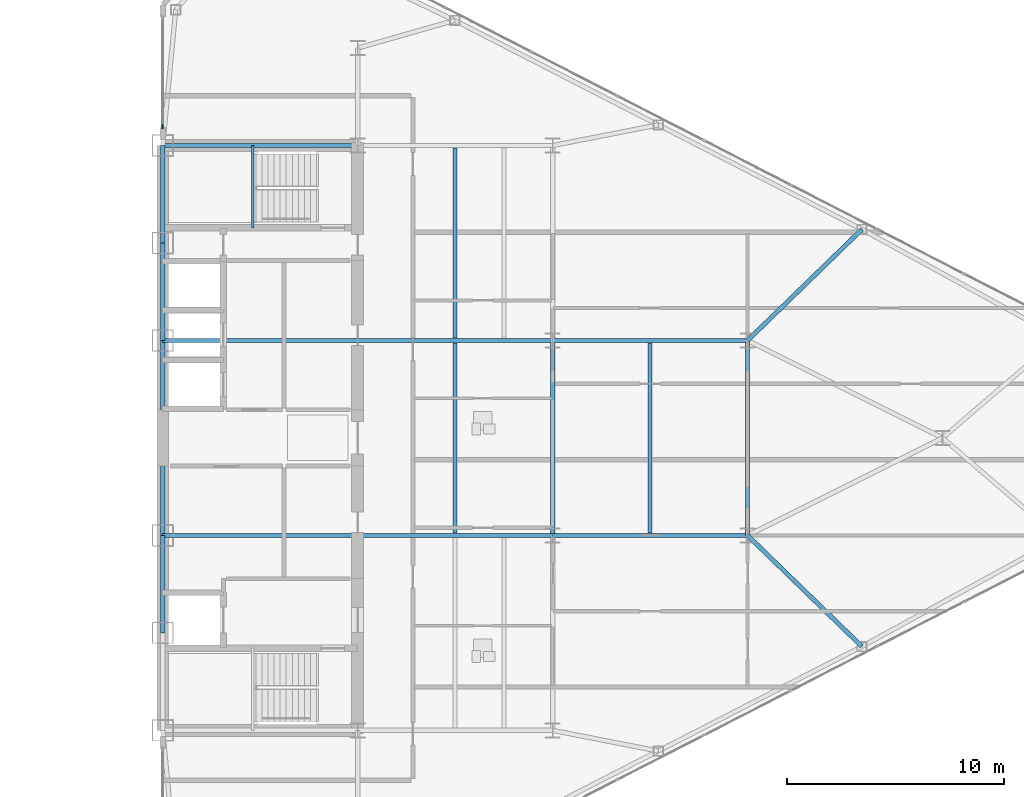
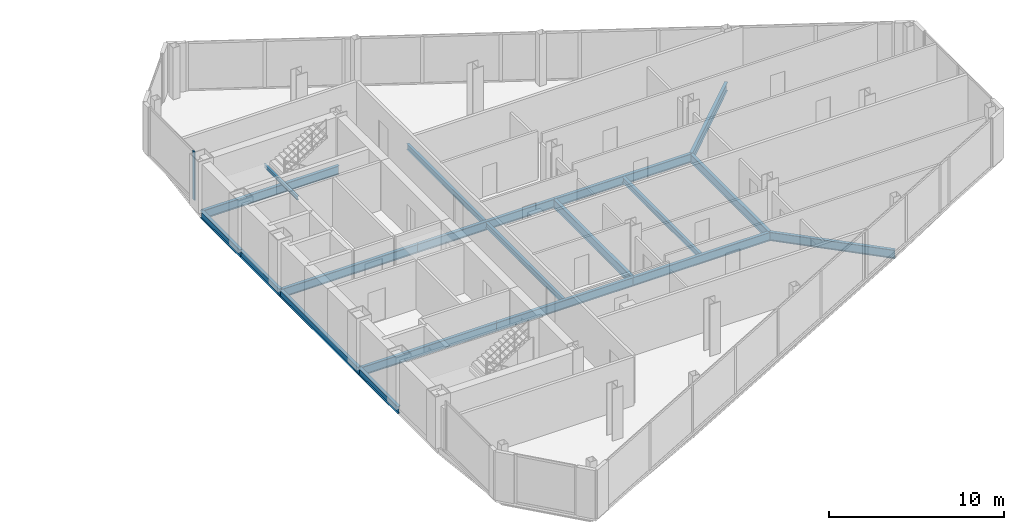
# One storey, part 10 of 23: 19 beams, 1 member, 1 element without a shape of its own.
"""IFC4 building model written with IfcOpenShell, lengths in metres."""

from ifc_helpers import new_model, si_unit, direction, frame, origin, origin_2d, place, context, subcontext, project, spatial, rectangle, i_section, extrude, source, transform, mapped, material, layer, layer_set, material_profile, profile_set, type_object, type_shapes, element, aggregate, save


model = new_model("IFC4")

# Units and contexts
model_context = context("Model", 3, precision=1e-05, world=origin(), true_north=direction((0.0, 1.0)))
body_context = subcontext(model_context, "Body", "Model", "MODEL_VIEW")
ifc_project = project(units=[si_unit("LENGTHUNIT", "METRE"), si_unit("AREAUNIT", "SQUARE_METRE"), si_unit("VOLUMEUNIT", "CUBIC_METRE"), si_unit("PLANEANGLEUNIT", "RADIAN"), si_unit("MASSUNIT", "GRAM", prefix="KILO")], contexts=[model_context])

# Site, building, storey
site_placement = place(None, origin())
site = spatial("IfcSite", under=ifc_project, at=site_placement, CompositionType="ELEMENT")
building_placement = place(site_placement, origin())
building = spatial("IfcBuilding", under=site, at=building_placement, Name="Seokmaru Belvedere", CompositionType="ELEMENT")
storey_placement = place(building_placement, frame((0.0, 0.0, 144.0)))
storey = spatial("IfcBuildingStorey", under=building, at=storey_placement, Name="L38", CompositionType="ELEMENT", Elevation=144.0)

# Beams
ifc_material_1 = material(Name="Steel SM355 (355 MPa)", Category="steel")
ifc_material_profile_1 = material_profile(ifc_material_1, i_section(OverallWidth=0.199951171875, OverallDepth=0.5, WebThickness=0.010009765625, FlangeThickness=0.01611328125, at=origin_2d()), Name="H-500x200x10x16")
ifc_profile_set_1 = profile_set([ifc_material_profile_1], Name="Steel SM355 (355 MPa)")
beam_type_1 = type_object("IfcBeamType", Name="Perimeter Spandrel Beam H-500", PredefinedType="SPANDREL", material=ifc_profile_set_1)
shared_shape_1 = source(origin(), body_context, "Body", "SweptSolid", [
    extrude(i_section(OverallWidth=0.199951171875, OverallDepth=0.5, WebThickness=0.010009765625, FlangeThickness=0.01611328125, at=origin_2d()), origin(), (0.0, 0.0, 1.0), 4.5),
])
for number, where, z_axis, x_axis, name in (
    (1, (27.5, -9.0, -0.469970703125), (0.0, 1.0, 0.0), (-1.0, 0.0, 0.0), "L38 E Portal Spine Spandrel 2"),
    (2, (27.5, 4.5, -0.469970703125), (0.0, 1.0, 0.0), (-1.0, 0.0, 0.0), "L38 E Portal Spine Spandrel 4"),
    (3, (27.5, 9.0, -0.469970703125), (0.0, 1.0, 0.0), (-1.0, 0.0, 0.0), "L38 E Portal Spine Spandrel 5"),
):
    element("IfcBeam", number, at=place(storey_placement, frame(where, z_axis=z_axis, x_axis=x_axis)), inside=storey, type_object=beam_type_1, Name=name, PredefinedType="SPANDREL", context=body_context, shape_type="MappedRepresentation", body=[
        mapped(shared_shape_1, transform((0.0, 0.0, 0.0), scale=1.0)),
    ])
shared_shape_2 = source(origin(), body_context, "Body", "SweptSolid", [
    extrude(i_section(OverallWidth=0.199951171875, OverallDepth=0.5, WebThickness=0.010009765625, FlangeThickness=0.01611328125, at=origin_2d()), origin(), (0.0, 0.0, 1.0), 9.0),
])
type_shapes(beam_type_1, [shared_shape_1, shared_shape_2])
beam_1_placement = place(storey_placement, frame((27.5, -4.5, -0.469970703125), z_axis=(0.0, 1.0, 0.0), x_axis=(-1.0, 0.0, 0.0)))
element("IfcBeam", 4, at=beam_1_placement, inside=storey, type_object=beam_type_1, Name="L38 E Portal Spine Spandrel 3", PredefinedType="SPANDREL", context=body_context, shape_type="MappedRepresentation", body=[
    mapped(shared_shape_2, transform((0.0, 0.0, 0.0), scale=1.0)),
])
ifc_material_profile_2 = material_profile(ifc_material_1, i_section(OverallWidth=0.199951171875, OverallDepth=0.60009765625, WebThickness=0.010986328125, FlangeThickness=0.01708984375, at=origin_2d()), Name="H-600x200x11x17")
ifc_profile_set_2 = profile_set([ifc_material_profile_2], Name="Steel SM355 (355 MPa)")
beam_type_2 = type_object("IfcBeamType", Name="Primary Floor Girder H-600", PredefinedType="BEAM", material=ifc_profile_set_2)
shared_shape_3 = source(origin(), body_context, "Body", "SweptSolid", [
    extrude(i_section(OverallWidth=0.199951171875, OverallDepth=0.60009765625, WebThickness=0.010986328125, FlangeThickness=0.01708984375, at=origin_2d()), origin(), (0.0, 0.0, 1.0), 9.0),
])
for number, where, z_axis, x_axis, name in (
    (5, (45.5, -4.5, -0.52001953125), (0.0, 1.0, 0.0), (-1.0, 0.0, 0.0), "L38 E Interior Grid Girder 2"),
    (6, (27.5, -4.5, -0.52001953125), (1.0, 0.0, 0.0), (0.0, 1.0, 0.0), "L38 E Core Tie Girder 2"),
    (7, (36.5, -4.5, -0.52001953125), (1.0, 0.0, 0.0), (0.0, 1.0, 0.0), "L38 E Wing Primary Girder 2"),
    (8, (27.5, 4.5, -0.52001953125), (1.0, 0.0, 0.0), (0.0, 1.0, 0.0), "L38 E Core Tie Girder 3"),
    (9, (36.5, 4.5, -0.52001953125), (1.0, 0.0, 0.0), (0.0, 1.0, 0.0), "L38 E Wing Primary Girder 3"),
    (10, (27.5, 13.5, -0.52001953125), (1.0, 0.0, 0.0), (0.0, 1.0, 0.0), "L38 E Core Tie Girder 4"),
    (11, (45.5, -4.5, -0.52001953125), (1.0, 0.0, 0.0), (0.0, 1.0, 0.0), "L38 E Outer Wing Girder 1"),
    (12, (45.5, 4.5, -0.52001953125), (1.0, 0.0, 0.0), (0.0, 1.0, 0.0), "L38 E Outer Wing Girder 2"),
    (13, (54.5, -4.5, -0.52001953125), (0.0, 1.0, 0.0), (-1.0, 0.0, 0.0), "L38 E Apex Frame Girder"),
):
    element("IfcBeam", number, at=place(storey_placement, frame(where, z_axis=z_axis, x_axis=x_axis)), inside=storey, type_object=beam_type_2, Name=name, PredefinedType="BEAM", context=body_context, shape_type="MappedRepresentation", body=[
        mapped(shared_shape_3, transform((0.0, 0.0, 0.0), scale=1.0)),
    ])
ifc_material_profile_3 = material_profile(ifc_material_1, i_section(OverallWidth=0.18505859375, OverallDepth=0.389892578125, WebThickness=0.008056640625, FlangeThickness=0.011962890625, at=origin_2d()), Name="H-390x185x8x12")
ifc_profile_set_3 = profile_set([ifc_material_profile_3], Name="Steel SM355 (355 MPa)")
beam_type_3 = type_object("IfcBeamType", Name="Secondary Floor Joist H-350", PredefinedType="JOIST", material=ifc_profile_set_3)
shared_shape_4 = source(origin(), body_context, "Body", "SweptSolid", [
    extrude(i_section(OverallWidth=0.18505859375, OverallDepth=0.389892578125, WebThickness=0.008056640625, FlangeThickness=0.011962890625, at=origin_2d()), origin(), (0.0, 0.0, 1.0), 8.7900390625),
])
type_shapes(beam_type_3, [shared_shape_4])
for number, where, z_axis, x_axis, name in (
    (14, (41.0, -4.39501953125, -0.4150390625), (0.0, 1.0, 0.0), (-1.0, 0.0, 0.0), "L38 E Secondary Floor Joist 2"),
    (15, (41.0, 4.60498046875, -0.4150390625), (0.0, 1.0, 0.0), (-1.0, 0.0, 0.0), "L38 E Secondary Floor Joist 3"),
    (16, (50.0, -4.39501953125, -0.4150390625), (0.0, 1.0, 0.0), (-1.0, 0.0, 0.0), "L38 E Outer Bay Secondary Joist"),
):
    element("IfcBeam", number, at=place(storey_placement, frame(where, z_axis=z_axis, x_axis=x_axis)), inside=storey, type_object=beam_type_3, Name=name, PredefinedType="JOIST", context=body_context, shape_type="MappedRepresentation", body=[
        mapped(shared_shape_4, transform((0.0, 0.0, 0.0), scale=1.0)),
    ])
shared_shape_5 = source(origin(), body_context, "Body", "SweptSolid", [
    extrude(i_section(OverallWidth=0.199951171875, OverallDepth=0.60009765625, WebThickness=0.010986328125, FlangeThickness=0.01708984375, at=origin_2d()), origin(), (0.0, 0.0, 1.0), 7.35986328125),
])
type_shapes(beam_type_2, [shared_shape_3, shared_shape_5])
for number, where, z_axis, x_axis, name in (
    (17, (59.778564453125, -9.62890625, -0.52001953125), (-0.717200745515, 0.696866623273, 0.0), (-0.696866623273, -0.717200745515, 0.0), "L38 E Flank Radial Floor Girder S-3"),
    (18, (59.778564453125, 9.62890625, -0.52001953125), (-0.717200745515, -0.696866623273, 0.0), (0.696866623273, -0.717200745515, 0.0), "L38 E Flank Radial Floor Girder N-3"),
):
    element("IfcBeam", number, at=place(storey_placement, frame(where, z_axis=z_axis, x_axis=x_axis)), inside=storey, type_object=beam_type_2, Name=name, PredefinedType="BEAM", context=body_context, shape_type="MappedRepresentation", body=[
        mapped(shared_shape_5, transform((0.0, 0.0, 0.0), scale=1.0)),
    ])

# Curtain wall, member
ifc_material_2 = material(Name="Bronze Triple Insulating Glass", Category="glass")
ifc_layer = layer(ifc_material_2, 0.195068359375)
ifc_layer_set = layer_set([ifc_layer], Name="Bronze Triple Insulating Glass")
curtain_wall_type = type_object("IfcCurtainWallType", Name="Sky-Lobby and Mid-Rise Curtain Wall System CW-4", PredefinedType="NOTDEFINED", material=ifc_layer_set)
curtain_wall_placement = place(storey_placement, origin())
curtain_wall = element("IfcCurtainWall", 19, at=curtain_wall_placement, inside=storey, type_object=curtain_wall_type, Name="L38 Curtain Wall ESP_2", PredefinedType="NOTDEFINED")
ifc_material_3 = material(Name="Anodised Bronze Aluminium", Category="aluminium")
ifc_material_profile_4 = material_profile(ifc_material_3, rectangle(XDim=0.070068359375, YDim=0.195068359375, at=origin_2d()), Name="CW-M-70x195")
ifc_profile_set_4 = profile_set([ifc_material_profile_4], Name="Anodised Bronze Aluminium")
member_type = type_object("IfcMemberType", Name="Bronze Unitised Mullion 70x195", PredefinedType="MULLION", material=ifc_profile_set_4)
shared_shape_6 = source(origin(), body_context, "Body", "SweptSolid", [
    extrude(rectangle(XDim=0.070068359375, YDim=0.195068359375, at=origin_2d()), origin(), (0.0, 0.0, 1.0), 3.3798828125),
])
type_shapes(member_type, [shared_shape_6])
member_placement = place(storey_placement, frame((27.5, 14.364990234375, 0.0), z_axis=(0.0, 0.0, 1.0), x_axis=(1.0, 0.0, 0.0)))
member = element("IfcMember", 20, at=member_placement, type_object=member_type, Name="CW:L38:ESP_2 Mullion 2", PredefinedType="MULLION", context=body_context, shape_type="MappedRepresentation", body=[
    mapped(shared_shape_6, transform((0.0, 0.0, 0.0), scale=1.0)),
])
aggregate(curtain_wall, [member])

# Beam
ifc_material_profile_5 = material_profile(ifc_material_1, i_section(OverallWidth=0.125, OverallDepth=0.25, WebThickness=0.006103515625, FlangeThickness=0.009033203125, at=origin_2d()), Name="H-250x125x6x9")
ifc_profile_set_5 = profile_set([ifc_material_profile_5], Name="Steel SM355 (355 MPa)")
beam_type_4 = type_object("IfcBeamType", Name="Stair Mid-Landing Support Beam H-250", PredefinedType="JOIST", material=ifc_profile_set_5)
shared_shape_7 = source(origin(), body_context, "Body", "SweptSolid", [
    extrude(i_section(OverallWidth=0.125, OverallDepth=0.25, WebThickness=0.006103515625, FlangeThickness=0.009033203125, at=origin_2d()), origin(), (0.0, 0.0, 1.0), 3.800048828125),
])
type_shapes(beam_type_4, [shared_shape_7])
beam_2_placement = place(storey_placement, frame((31.64990234375, 9.699951171875, 1.47509765625), z_axis=(0.0, 1.0, 0.0), x_axis=(-1.0, 0.0, 0.0)))
element("IfcBeam", 21, at=beam_2_placement, inside=storey, type_object=beam_type_4, Name="L38 Stair ST-E2 Mid-Landing Support Beam 1", PredefinedType="JOIST", context=body_context, shape_type="MappedRepresentation", body=[
    mapped(shared_shape_7, transform((0.0, 0.0, 0.0), scale=1.0)),
])

save(model, "model.ifc")
